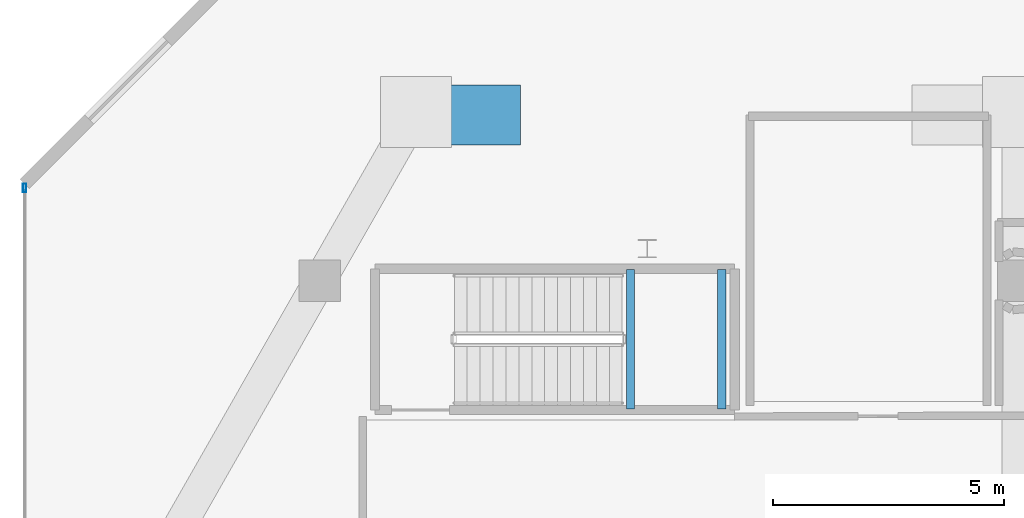
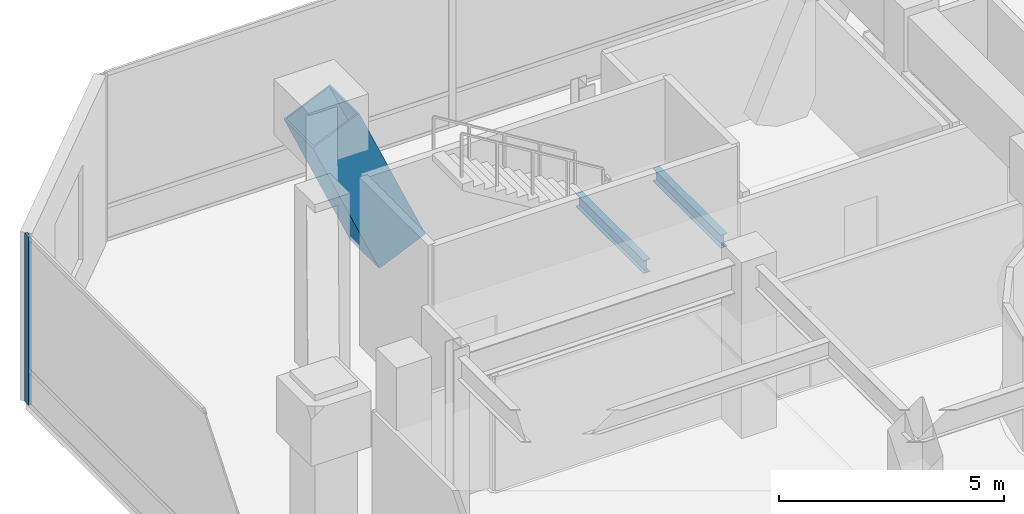
# One storey, part 17 of 45: 2 beams, 2 members, 1 element without a shape of its own.
"""IFC4 building model written with IfcOpenShell, lengths in metres."""

from ifc_helpers import new_model, si_unit, direction, frame, origin, origin_2d, place, context, subcontext, project, spatial, hollow_rectangle, i_section, extrude, material, layer, layer_set, material_profile, profile_set, type_object, element, aggregate, save


model = new_model("IFC4")

# Units and contexts
model_context = context("Model", 3, precision=1e-05, world=origin(), true_north=direction((0.0, 1.0)))
body_context = subcontext(model_context, "Body", "Model", "MODEL_VIEW")
ifc_project = project(units=[si_unit("LENGTHUNIT", "METRE"), si_unit("AREAUNIT", "SQUARE_METRE"), si_unit("VOLUMEUNIT", "CUBIC_METRE"), si_unit("PLANEANGLEUNIT", "RADIAN"), si_unit("MASSUNIT", "GRAM", prefix="KILO")], contexts=[model_context])

# Site, building, storey
site_placement = place(None, origin())
site = spatial("IfcSite", under=ifc_project, at=site_placement, CompositionType="ELEMENT")
building_placement = place(site_placement, origin())
building = spatial("IfcBuilding", under=site, at=building_placement, Name="Qianvela Tower", CompositionType="ELEMENT")
storey_placement = place(building_placement, frame((0.0, 0.0, 11.0)))
storey = spatial("IfcBuildingStorey", under=building, at=storey_placement, Name="L02", CompositionType="ELEMENT", Elevation=11.0)

# Beams
ifc_material_1 = material(Name="Steel Q355B", Category="steel")
ifc_material_profile_1 = material_profile(ifc_material_1, i_section(OverallWidth=0.175048828125, OverallDepth=0.35009765625, WebThickness=0.007080078125, FlangeThickness=0.010986328125, at=origin_2d()), Name="HN350x175x7x11")
ifc_profile_set_1 = profile_set([ifc_material_profile_1], Name="Steel Q355B")
beam_type = type_object("IfcBeamType", Name="BM-HN350-JOIST", PredefinedType="JOIST", material=ifc_profile_set_1)
for number, where, z_axis, x_axis, name in (
    (1, (14.639892578125, 41.1201171875, 2.02490234375), (0.0, 1.0, 0.0), (-1.0, 0.0, 0.0), "L02 Stair ST-3 Landing Support Beam 1.1"),
    (2, (16.6201171875, 41.1201171875, 2.02490234375), (0.0, 1.0, 0.0), (-1.0, 0.0, 0.0), "L02 Stair ST-3 Landing Support Beam 1.2"),
):
    element("IfcBeam", number, at=place(storey_placement, frame(where, z_axis=z_axis, x_axis=x_axis)), inside=storey, type_object=beam_type, Name=name, PredefinedType="JOIST", context=body_context, shape_type="SweptSolid", body=[
        extrude(i_section(OverallWidth=0.175048828125, OverallDepth=0.35009765625, WebThickness=0.007080078125, FlangeThickness=0.010986328125, at=origin_2d()), origin(), (0.0, 0.0, 1.0), 3.019775390625),
    ])

# Curtain wall, member
ifc_material_2 = material(Name="Anodised Architectural Aluminium and Low-E Glass", Category="aluminium")
ifc_layer = layer(ifc_material_2, 0.179931640625)
ifc_layer_set = layer_set([ifc_layer], Name="Anodised Architectural Aluminium and Low-E Glass")
curtain_wall_type = type_object("IfcCurtainWallType", Name="CW-COMMONS", PredefinedType="USERDEFINED", material=ifc_layer_set)
curtain_wall_placement = place(storey_placement, origin())
curtain_wall = element("IfcCurtainWall", 3, at=curtain_wall_placement, inside=storey, type_object=curtain_wall_type, Name="L02 CW-COMMONS Curtain Wall 07", ObjectType="CURTAIN_WALL_SYSTEM", PredefinedType="USERDEFINED")
ifc_material_3 = material(Name="Anodised Architectural Aluminium 6063-T6", Category="aluminium")
ifc_material_profile_2 = material_profile(ifc_material_3, hollow_rectangle(XDim=0.070068359375, YDim=0.179931640625, WallThickness=0.0048828125, at=origin_2d()), Name="ALU-MULL-70x180")
ifc_profile_set_2 = profile_set([ifc_material_profile_2], Name="Anodised Architectural Aluminium 6063-T6")
member_type_1 = type_object("IfcMemberType", Name="CW-COMMONS-MULL", PredefinedType="MULLION", material=ifc_profile_set_2)
member_1_placement = place(storey_placement, frame((1.5, 45.9150390625, 0.0), z_axis=(0.0, 0.0, 1.0), x_axis=(1.0, 0.0, 0.0)))
member_1 = element("IfcMember", 4, at=member_1_placement, type_object=member_type_1, Name="CW-2 mullion 1", PredefinedType="MULLION", context=body_context, shape_type="SweptSolid", body=[
    extrude(hollow_rectangle(XDim=0.070068359375, YDim=0.179931640625, WallThickness=0.0048828125, at=origin_2d()), origin(), (0.0, 0.0, 1.0), 4.580078125),
])
aggregate(curtain_wall, [member_1])

# Member
ifc_material_4 = material(Name="Steel Q420GJC", Category="steel")
ifc_material_profile_3 = material_profile(ifc_material_4, hollow_rectangle(XDim=1.300048828125, YDim=1.300048828125, WallThickness=0.044921875, at=origin_2d()), Name="VBOX-1300x1300x45")
ifc_profile_set_3 = profile_set([ifc_material_profile_3], Name="Steel Q420GJC")
member_type_2 = type_object("IfcMemberType", Name="MBR-VCOL-1300", PredefinedType="POST", material=ifc_profile_set_3)
member_2_placement = place(storey_placement, frame((11.661376953125, 47.5, 0.0), z_axis=(-0.402692265556, 0.0, 0.915335424455), x_axis=(0.0, -1.0, 0.0)))
element("IfcMember", 5, at=member_2_placement, inside=storey, type_object=member_type_2, Name="L02 Concourse Inclined V-Column VC-N1 Leg L", PredefinedType="POST", context=body_context, shape_type="SweptSolid", body=[
    extrude(hollow_rectangle(XDim=1.300048828125, YDim=1.300048828125, WallThickness=0.044921875, at=origin_2d()), origin(), (0.0, 0.0, 1.0), 4.236572265625),
])

save(model, "model.ifc")
